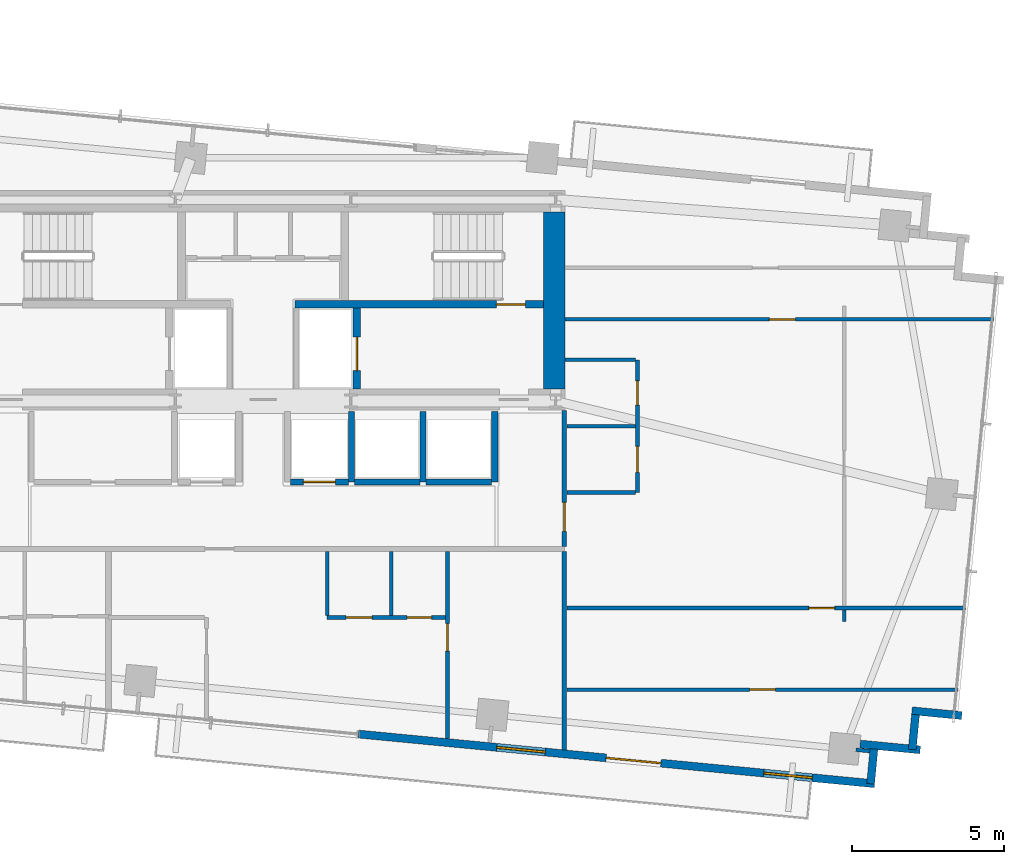
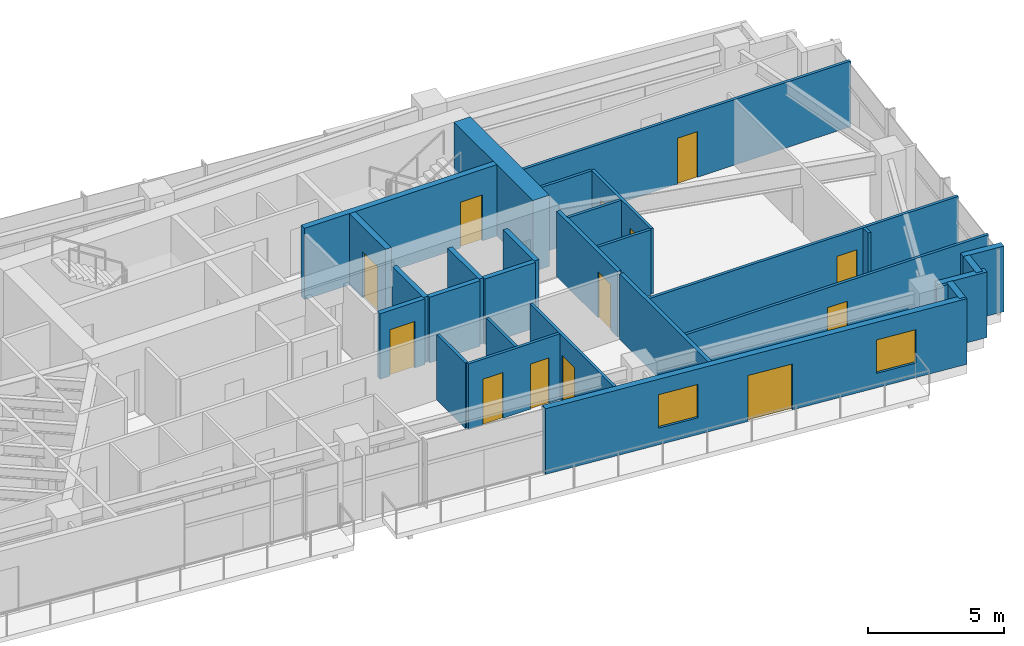
# One storey, part 16 of 19: 29 walls, 13 doors, 2 windows, 15 openings.
"""IFC4 building model written with IfcOpenShell, lengths in metres."""

import ifcopenshell
import ifcopenshell.guid

model = None  # the IFC model being written
_history = None  # IfcOwnerHistory: only IFC2X3 demands one
_inside = {}  # id of a spatial element -> (the spatial element, [elements in it])
_under = {}  # id of a project, library or spatial element -> (it, [spatial elements below it])
_declared = {}  # id of a project -> (the project, [libraries it declares])
_typed = {}  # id of a type object -> (the type object, [elements of that type])
_made_of = {}  # id of a material, layer set ... -> (it, [elements and type objects made of it])


def new_model(schema):
    """Start an empty IFC model of exactly this schema.

    Asked for "IFC4X3", IfcOpenShell would pick the latest addendum, in which some entities
    have other attributes; the version numbers below select the first issue.
    IFC2X3 requires an IfcOwnerHistory on every rooted entity: one is made here for all.
    """
    global model, _history
    if schema == "IFC4X3":
        model = ifcopenshell.file(schema_version=(4, 3, 0, 0))
    else:
        model = ifcopenshell.file(schema=schema)
    _inside.clear()
    _under.clear()
    _declared.clear()
    _typed.clear()
    _made_of.clear()
    _history = None
    if model.schema == "IFC2X3":
        org = make("IfcOrganization", Name="unknown")
        user = make(
            "IfcPersonAndOrganization",
            ThePerson=make("IfcPerson", FamilyName="unknown"),
            TheOrganization=org,
        )
        app = make(
            "IfcApplication",
            ApplicationDeveloper=org,
            Version="unknown",
            ApplicationFullName="unknown",
            ApplicationIdentifier="unknown",
        )
        _history = make(
            "IfcOwnerHistory",
            OwningUser=user,
            OwningApplication=app,
            ChangeAction="ADDED",
            CreationDate=0,
        )
    return model


def make(cls, **values):
    """One entity of the class cls with the attributes given. An attribute that is None is left unset."""
    return model.create_entity(
        cls, **{name: value for name, value in values.items() if value is not None}
    )


def rooted(cls, **values):
    """An entity with a GlobalId (a new one), such as an element, a storey or a relation."""
    return make(cls, GlobalId=ifcopenshell.guid.new(), OwnerHistory=_history, **values)


def si_unit(unit_type, name, prefix=None):
    """IfcSIUnit, for example si_unit("LENGTHUNIT", "METRE", prefix="MILLI")."""
    return make("IfcSIUnit", UnitType=unit_type, Prefix=prefix, Name=name)


def assignment(units):
    """IfcUnitAssignment: the units of a project."""
    return None if units is None else make("IfcUnitAssignment", Units=units)


def point(xyz):
    """IfcCartesianPoint."""
    return None if xyz is None else make("IfcCartesianPoint", Coordinates=xyz)


def direction(xyz):
    """IfcDirection."""
    return None if xyz is None else make("IfcDirection", DirectionRatios=xyz)


def frame(location, z_axis=None, x_axis=None):
    """IfcAxis2Placement3D, a coordinate frame: its origin and axes. An axis left out is left unset."""
    return make(
        "IfcAxis2Placement3D",
        Location=point(location),
        Axis=direction(z_axis),
        RefDirection=direction(x_axis),
    )


def frame_2d(location, x_axis=None):
    """IfcAxis2Placement2D, a coordinate frame in the plane: its origin and x axis."""
    return make(
        "IfcAxis2Placement2D", Location=point(location), RefDirection=direction(x_axis)
    )


def origin():
    """The frame at (0, 0, 0) with its axes left unset."""
    return frame((0.0, 0.0, 0.0))


def place(relative_to, where):
    """IfcLocalPlacement: puts the frame where relative to a parent placement (None: the world)."""
    return make(
        "IfcLocalPlacement", PlacementRelTo=relative_to, RelativePlacement=where
    )


def context(
    kind, dimensions, precision=None, world=None, true_north=None, identifier=None
):
    """IfcGeometricRepresentationContext, for example the 3D "Model" context."""
    return make(
        "IfcGeometricRepresentationContext",
        ContextIdentifier=identifier,
        ContextType=kind,
        CoordinateSpaceDimension=dimensions,
        Precision=precision,
        WorldCoordinateSystem=world,
        TrueNorth=true_north,
    )


def subcontext(parent, identifier, kind, view, scale=None):
    """IfcGeometricRepresentationSubContext, for example "Body" below "Model"."""
    return make(
        "IfcGeometricRepresentationSubContext",
        ContextIdentifier=identifier,
        ContextType=kind,
        ParentContext=parent,
        TargetScale=scale,
        TargetView=view,
    )


def project(units=None, contexts=None):
    """IfcProject with its units and contexts."""
    return rooted(
        "IfcProject",
        Name="project",
        RepresentationContexts=contexts,
        UnitsInContext=assignment(units),
    )


def spatial(cls, under=None, at=None, **own):
    """A site, building, storey or space (cls), placed at a placement, below another one or the project."""
    s = rooted(cls, ObjectPlacement=at, **own)
    if under is not None:
        _under.setdefault(under.id(), (under, []))[1].append(s)
    return s


def profile(cls, at=None, kind="AREA", **sizes):
    """A parametric profile (cls). Its sizes go by their IFC names, for example OverallWidth=200.0."""
    return make(cls, ProfileType=kind, Position=at, **sizes)


def rectangle(**sizes):
    """IfcRectangleProfileDef."""
    return profile("IfcRectangleProfileDef", **sizes)


def extrude(swept, where, along, depth):
    """IfcExtrudedAreaSolid: the profile swept, set in the frame where, extruded along a direction by depth."""
    return make(
        "IfcExtrudedAreaSolid",
        SweptArea=swept,
        Position=where,
        ExtrudedDirection=direction(along),
        Depth=depth,
    )


def shape(context_of_items, identifier, shape_type, items):
    """IfcShapeRepresentation: the items that make up one representation, for example the "Body"."""
    return make(
        "IfcShapeRepresentation",
        ContextOfItems=context_of_items,
        RepresentationIdentifier=identifier,
        RepresentationType=shape_type,
        Items=items,
    )


def source(mapping_origin, context_of_items, identifier, shape_type, items):
    """IfcRepresentationMap: a shape defined once, which mapped items show again and again."""
    return make(
        "IfcRepresentationMap",
        MappingOrigin=mapping_origin,
        MappedRepresentation=shape(context_of_items, identifier, shape_type, items),
    )


def transform(
    local_origin,
    x_axis=None,
    y_axis=None,
    z_axis=None,
    scale=None,
    scale2=None,
    scale3=None,
    uniform=True,
):
    """IfcCartesianTransformationOperator3D, or its non-uniform kind. x_axis, y_axis, z_axis: its Axis1, 2, 3."""
    if uniform:
        return make(
            "IfcCartesianTransformationOperator3D",
            Axis1=direction(x_axis),
            Axis2=direction(y_axis),
            LocalOrigin=point(local_origin),
            Scale=scale,
            Axis3=direction(z_axis),
        )
    return make(
        "IfcCartesianTransformationOperator3DnonUniform",
        Axis1=direction(x_axis),
        Axis2=direction(y_axis),
        LocalOrigin=point(local_origin),
        Scale=scale,
        Axis3=direction(z_axis),
        Scale2=scale2,
        Scale3=scale3,
    )


def mapped(mapping_source, mapping_target):
    """IfcMappedItem: shows the shape of a source again, moved by a transform."""
    return make(
        "IfcMappedItem", MappingSource=mapping_source, MappingTarget=mapping_target
    )


def material(Name=None, Category=None):
    """IfcMaterial."""
    return make("IfcMaterial", Name=Name, Category=Category)


def layer(
    of_material, thickness, ventilated=None, Name=None, Category=None, Priority=None
):
    """IfcMaterialLayer: one layer of a wall or slab, of a material (None: an air gap)."""
    return make(
        "IfcMaterialLayer",
        Material=of_material,
        LayerThickness=thickness,
        IsVentilated=ventilated,
        Name=Name,
        Category=Category,
        Priority=Priority,
    )


def layer_set(layers, Name=None):
    """IfcMaterialLayerSet."""
    return make("IfcMaterialLayerSet", MaterialLayers=layers, LayerSetName=Name)


def made_of(thing, what):
    """Note that an element or type object is made of a material, layer set ...; save() writes the relation."""
    if what is not None:
        _made_of.setdefault(what.id(), (what, []))[1].append(thing)
    return thing


def type_object(cls, material=None, **own):
    """A type object (cls), such as IfcWallType, which elements share."""
    return made_of(rooted(cls, **own), material)


def type_shapes(of_type, sources):
    """Give a type object the sources (RepresentationMaps) that its elements show as mapped items."""
    of_type.RepresentationMaps = sources


def element(
    cls,
    number,
    at=None,
    inside=None,
    cuts=None,
    type_object=None,
    material=None,
    context=None,
    identifier="Body",
    shape_type=None,
    held_by="IfcProductDefinitionShape",
    body=None,
    shapes=None,
    **own,
):
    """One element of the class cls, such as IfcWall. Its Tag is "e" and its number.

    at: its placement. inside: the storey or other place that contains it. cuts: it is an
    opening in that element (IfcRelVoidsElement). A single representation is given by context,
    identifier, shape_type and body (its items); several are given by shapes. held_by: the class
    of the entity that holds the representations. save() writes the other relations.
    """
    e = rooted(cls, Tag="e%d" % number, ObjectPlacement=at, **own)
    if body is not None:
        shapes = [shape(context, identifier, shape_type, body)]
    if shapes is not None:
        e.Representation = make(held_by, Representations=shapes)
    if inside is not None:
        _inside.setdefault(inside.id(), (inside, []))[1].append(e)
    if cuts is not None:
        rooted(
            "IfcRelVoidsElement", RelatingBuildingElement=cuts, RelatedOpeningElement=e
        )
    if type_object is not None:
        _typed.setdefault(type_object.id(), (type_object, []))[1].append(e)
    return made_of(e, material)


def fill(opening, filler):
    """IfcRelFillsElement: the door or window that sits in an opening."""
    return rooted(
        "IfcRelFillsElement",
        RelatingOpeningElement=opening,
        RelatedBuildingElement=filler,
    )


def aggregate(whole, parts):
    """IfcRelAggregates: a whole, such as a stair, and the parts it consists of."""
    return rooted("IfcRelAggregates", RelatingObject=whole, RelatedObjects=parts)


def save(model, path):
    """Write the relations noted so far, then the file.

    IfcRelAggregates (storeys below a building ...), IfcRelContainedInSpatialStructure (elements
    in a storey), IfcRelDefinesByType, IfcRelAssociatesMaterial and IfcRelDeclares: one each for
    every whole, place, type object, material and project.
    """
    for whole, parts in _under.values():
        aggregate(whole, parts)
    for where, things in _inside.values():
        rooted(
            "IfcRelContainedInSpatialStructure",
            RelatedElements=things,
            RelatingStructure=where,
        )
    for kind, things in _typed.values():
        rooted("IfcRelDefinesByType", RelatedObjects=things, RelatingType=kind)
    for what, things in _made_of.values():
        rooted("IfcRelAssociatesMaterial", RelatedObjects=things, RelatingMaterial=what)
    for by, libraries in _declared.values():
        rooted("IfcRelDeclares", RelatingContext=by, RelatedDefinitions=libraries)
    model.write(path)


model = new_model("IFC4")

# Units and contexts
model_context = context("Model", 3, precision=1e-05, world=origin(), true_north=direction((0.0, 1.0)))
body_context = subcontext(model_context, "Body", "Model", "MODEL_VIEW")
ifc_project = project(units=[si_unit("LENGTHUNIT", "METRE"), si_unit("AREAUNIT", "SQUARE_METRE"), si_unit("VOLUMEUNIT", "CUBIC_METRE"), si_unit("PLANEANGLEUNIT", "RADIAN"), si_unit("MASSUNIT", "GRAM", prefix="KILO")], contexts=[model_context])

# Site, building, storey
site_placement = place(None, origin())
site = spatial("IfcSite", under=ifc_project, at=site_placement, CompositionType="ELEMENT")
building_placement = place(site_placement, origin())
building = spatial("IfcBuilding", under=site, at=building_placement, Name="Astriad Promenade Condominiums", CompositionType="ELEMENT")
storey_placement = place(building_placement, frame((0.0, 0.0, 124.60009765625)))
storey = spatial("IfcBuildingStorey", under=building, at=storey_placement, Name="L35", CompositionType="ELEMENT", Elevation=124.60009765625)

# Wall
ifc_material_1 = material(Name="Concrete C60/75", Category="concrete")
ifc_layer_1 = layer(ifc_material_1, 0.699951171875)
ifc_layer_set_1 = layer_set([ifc_layer_1], Name="Concrete C60/75")
wall_type_1 = type_object("IfcWallType", Name="CW-SHEAR-700", PredefinedType="SHEAR", material=ifc_layer_set_1)
wall_1_placement = place(storey_placement, frame((45.550048828125, 17.802001953125, 0.0), z_axis=(0.0, 0.0, 1.0), x_axis=(0.0, 1.0, 0.0)))
element("IfcWall", 1, at=wall_1_placement, inside=storey, type_object=wall_type_1, Name="CW-CORE-E-L35", PredefinedType="SHEAR", context=body_context, shape_type="SweptSolid", body=[
    extrude(rectangle(XDim=5.7958984375, YDim=0.699951171875, at=frame_2d((2.89794921875, 0.0))), origin(), (0.0, 0.0, 1.0), 3.199951171875),
])

# Wall, opening, door
ifc_material_2 = material(Name="Concrete C50/60", Category="concrete")
ifc_layer_2 = layer(ifc_material_2, 0.25)
ifc_layer_set_2 = layer_set([ifc_layer_2], Name="Concrete C50/60")
wall_type_2 = type_object("IfcWallType", Name="WALL-CORE-INT-250", PredefinedType="SOLIDWALL", material=ifc_layer_set_2)
wall_2_placement = place(storey_placement, frame((37.050048828125, 20.574951171875, 0.0), z_axis=(0.0, 0.0, 1.0), x_axis=(1.0, 0.0, 0.0)))
wall_2 = element("IfcWall", 2, at=wall_2_placement, inside=storey, type_object=wall_type_2, Name="CW-INT-H2-L35", PredefinedType="SOLIDWALL", context=body_context, shape_type="SweptSolid", body=[
    extrude(rectangle(XDim=8.14794921875, YDim=0.25, at=frame_2d((4.073974609375, 0.0))), origin(), (0.0, 0.0, 1.0), 3.199951171875),
])
opening_1_placement = place(wall_2_placement, frame((6.60009765625, 0.0, 0.0)))
opening_1 = element("IfcOpeningElement", 3, at=opening_1_placement, cuts=wall_2, Name="Opening FD90-ST-095", PredefinedType="OPENING", context=body_context, shape_type="SweptSolid", body=[
    extrude(rectangle(XDim=0.949951171875, YDim=2.06005859375, at=frame_2d((0.47509765625, 1.030029296875))), frame((0.0, 0.135009765625, 0.0), z_axis=(0.0, -1.0, 0.0), x_axis=(1.0, 0.0, 0.0)), (0.0, 0.0, 1.0), 0.27001953125),
])
ifc_material_3 = material(Name="Fire-Rated Hollow Metal Stair Door")
door_type_1 = type_object("IfcDoorType", Name="FD90-ST-095", OperationType="NOTDEFINED", PredefinedType="DOOR", material=ifc_material_3)
shared_shape_1 = source(origin(), body_context, "Body", "SweptSolid", [
    extrude(rectangle(XDim=0.949951171875, YDim=2.06005859375, at=frame_2d((0.47509765625, 1.030029296875))), frame((0.0, 0.02490234375, 0.0), z_axis=(0.0, -1.0, 0.0), x_axis=(1.0, 0.0, 0.0)), (0.0, 0.0, 1.0), 0.050048828125),
])
type_shapes(door_type_1, [shared_shape_1])
door_1_placement = place(opening_1_placement, origin())
door_1 = element("IfcDoor", 4, at=door_1_placement, inside=storey, type_object=door_type_1, Name="D-ST2-L35", OperationType="SINGLE_SWING_LEFT", OverallHeight=2.06005859375, OverallWidth=0.949951171875, PredefinedType="DOOR", context=body_context, shape_type="MappedRepresentation", body=[
    mapped(shared_shape_1, transform((0.0, 0.0, 0.0), scale=1.0)),
])
fill(opening_1, door_1)

wall_3_placement = place(storey_placement, frame((39.074951171875, 17.802001953125, 0.0), z_axis=(0.0, 0.0, 1.0), x_axis=(0.0, 1.0, 0.0)))
wall_3 = element("IfcWall", 5, at=wall_3_placement, inside=storey, type_object=wall_type_2, Name="CW-FFL2-E-L35", PredefinedType="SOLIDWALL", context=body_context, shape_type="SweptSolid", body=[
    extrude(rectangle(XDim=2.64599609375, YDim=0.25, at=frame_2d((1.322998046875, 0.0))), origin(), (0.0, 0.0, 1.0), 3.199951171875),
])
opening_2_placement = place(wall_3_placement, frame((0.597900390625, 0.0, 0.0)))
opening_2 = element("IfcOpeningElement", 6, at=opening_2_placement, cuts=wall_3, Name="Opening LD-FFL-1122", PredefinedType="OPENING", context=body_context, shape_type="SweptSolid", body=[
    extrude(rectangle(XDim=1.10009765625, YDim=2.080078125, at=frame_2d((0.550048828125, 1.0400390625))), frame((0.0, 0.135009765625, 0.0), z_axis=(0.0, -1.0, 0.0), x_axis=(1.0, 0.0, 0.0)), (0.0, 0.0, 1.0), 0.27001953125),
])
ifc_material_4 = material(Name="Brushed Stainless Steel Fire Elevator Landing Door", Category="steel")
door_type_2 = type_object("IfcDoorType", Name="LD-FFL-1122", OperationType="NOTDEFINED", PredefinedType="DOOR", material=ifc_material_4)
shared_shape_2 = source(origin(), body_context, "Body", "SweptSolid", [
    extrude(rectangle(XDim=1.10009765625, YDim=2.080078125, at=frame_2d((0.550048828125, 1.0400390625))), frame((0.0, 0.02490234375, 0.0), z_axis=(0.0, -1.0, 0.0), x_axis=(1.0, 0.0, 0.0)), (0.0, 0.0, 1.0), 0.050048828125),
])
type_shapes(door_type_2, [shared_shape_2])
door_2_placement = place(opening_2_placement, origin())
door_2 = element("IfcDoor", 7, at=door_2_placement, inside=storey, type_object=door_type_2, Name="Elevator Landing Door FFL-2 (L35)", OperationType="SLIDING_TO_RIGHT", OverallHeight=2.080078125, OverallWidth=1.10009765625, PredefinedType="DOOR", context=body_context, shape_type="MappedRepresentation", body=[
    mapped(shared_shape_2, transform((0.0, 0.0, 0.0), scale=1.0)),
])
fill(opening_2, door_2)

# Wall
ifc_material_5 = material(Name="Fire-Rated Gypsum Partition")
ifc_layer_3 = layer(ifc_material_5, 0.159912109375)
ifc_layer_set_3 = layer_set([ifc_layer_3], Name="Fire-Rated Gypsum Partition")
wall_type_3 = type_object("IfcWallType", Name="WALL-CORR-160", PredefinedType="PARTITIONING", material=ifc_layer_set_3)
wall_4_placement = place(storey_placement, frame((45.8798828125, 5.95849609375, 0.0), z_axis=(0.0, 0.0, 1.0), x_axis=(0.0, 1.0, 0.0)))
element("IfcWall", 8, at=wall_4_placement, inside=storey, type_object=wall_type_3, Name="PT-COR-E-L35", PredefinedType="PARTITIONING", context=body_context, shape_type="SweptSolid", body=[
    extrude(rectangle(XDim=6.509521484375, YDim=0.159912109375, at=frame_2d((3.2548828125, 0.0))), origin(), (0.0, 0.0, 1.0), 2.93994140625),
])

# Wall, opening, door
wall_5_placement = place(storey_placement, frame((45.8798828125, 12.632080078125, 0.0), z_axis=(0.0, 0.0, 1.0), x_axis=(0.0, 1.0, 0.0)))
wall_5 = element("IfcWall", 9, at=wall_5_placement, inside=storey, type_object=wall_type_3, Name="PT-COR-E-L35-S2", PredefinedType="PARTITIONING", context=body_context, shape_type="SweptSolid", body=[
    extrude(rectangle(XDim=4.4658203125, YDim=0.159912109375, at=frame_2d((2.23291015625, 0.0))), origin(), (0.0, 0.0, 1.0), 2.93994140625),
])
opening_3_placement = place(wall_5_placement, frame((0.492919921875, 0.0, 0.0)))
opening_3 = element("IfcOpeningElement", 10, at=opening_3_placement, cuts=wall_5, Name="Opening FD60-APT-095", PredefinedType="OPENING", context=body_context, shape_type="SweptSolid", body=[
    extrude(rectangle(XDim=0.949951171875, YDim=2.06005859375, at=frame_2d((0.47509765625, 1.030029296875))), frame((0.0, 0.08984375, 0.0), z_axis=(0.0, -1.0, 0.0), x_axis=(1.0, 0.0, 0.0)), (0.0, 0.0, 1.0), 0.179931640625),
])
ifc_material_6 = material(Name="Solid-Core Acoustic Timber Residence Entry Door", Category="wood")
door_type_3 = type_object("IfcDoorType", Name="FD60-APT-095", OperationType="NOTDEFINED", PredefinedType="DOOR", material=ifc_material_6)
shared_shape_3 = source(origin(), body_context, "Body", "SweptSolid", [
    extrude(rectangle(XDim=0.949951171875, YDim=2.06005859375, at=frame_2d((0.47509765625, 1.030029296875))), frame((0.0, 0.02490234375, 0.0), z_axis=(0.0, -1.0, 0.0), x_axis=(1.0, 0.0, 0.0)), (0.0, 0.0, 1.0), 0.050048828125),
])
type_shapes(door_type_3, [shared_shape_3])
door_3_placement = place(opening_3_placement, origin())
door_3 = element("IfcDoor", 11, at=door_3_placement, inside=storey, type_object=door_type_3, Name="D-ENT-L35-E1", OperationType="SINGLE_SWING_RIGHT", OverallHeight=2.06005859375, OverallWidth=0.949951171875, PredefinedType="DOOR", context=body_context, shape_type="MappedRepresentation", body=[
    mapped(shared_shape_3, transform((0.0, 0.0, 0.0), scale=1.0)),
])
fill(opening_3, door_3)

# Walls
ifc_material_7 = material(Name="Precast concrete C50/60", Category="concrete")
ifc_layer_4 = layer(ifc_material_7, 0.260009765625)
ifc_layer_set_4 = layer_set([ifc_layer_4], Name="Precast concrete C50/60")
wall_type_4 = type_object("IfcWallType", Name="WALL-EXT-TWR-260", PredefinedType="STANDARD", material=ifc_layer_set_4)
wall_6_placement = place(storey_placement, frame((58.918701171875, 7.081787109375, 0.0), z_axis=(0.0, 0.0, 1.0), x_axis=(-0.995393194909, 0.095876939504, 0.0)))
element("IfcWall", 12, at=wall_6_placement, inside=storey, type_object=wall_type_4, Name="W-SER-L35-14", PredefinedType="STANDARD", context=body_context, shape_type="SweptSolid", body=[
    extrude(rectangle(XDim=1.639892578125, YDim=0.260009765625, at=frame_2d((0.81982421875, 0.0))), origin(), (0.0, 0.0, 1.0), 2.93994140625),
])
wall_7_placement = place(storey_placement, frame((57.40478515625, 7.112060546875, 0.0), z_axis=(0.0, 0.0, 1.0), x_axis=(-0.095971333708, -0.995384098279, 0.0)))
element("IfcWall", 13, at=wall_7_placement, inside=storey, type_object=wall_type_4, Name="W-SER-L35-15", PredefinedType="STANDARD", context=body_context, shape_type="SweptSolid", body=[
    extrude(rectangle(XDim=1.14990234375, YDim=0.260009765625, at=frame_2d((0.574951171875, 0.0))), origin(), (0.0, 0.0, 1.0), 2.93994140625),
])
wall_8_placement = place(storey_placement, frame((57.5546875, 5.95751953125, 0.0), z_axis=(0.0, 0.0, 1.0), x_axis=(-0.995401789159, 0.095787672171, 0.0)))
element("IfcWall", 14, at=wall_8_placement, inside=storey, type_object=wall_type_4, Name="W-SER-L35-16", PredefinedType="STANDARD", context=body_context, shape_type="SweptSolid", body=[
    extrude(rectangle(XDim=1.977783203125, YDim=0.260009765625, at=frame_2d((0.98876953125, 0.0))), origin(), (0.0, 0.0, 1.0), 2.93994140625),
])
wall_9_placement = place(storey_placement, frame((56.04052734375, 5.98779296875, 0.0), z_axis=(0.0, 0.0, 1.0), x_axis=(-0.095740721699, -0.995406306092, 0.0)))
element("IfcWall", 15, at=wall_9_placement, inside=storey, type_object=wall_type_4, Name="W-SER-L35-17", PredefinedType="STANDARD", context=body_context, shape_type="SweptSolid", body=[
    extrude(rectangle(XDim=1.150146484375, YDim=0.260009765625, at=frame_2d((0.5751953125, 0.0))), origin(), (0.0, 0.0, 1.0), 2.93994140625),
])

# Wall, openings, door, windows
wall_10_placement = place(storey_placement, frame((56.061279296875, 4.845458984375, 0.0), z_axis=(0.0, 0.0, 1.0), x_axis=(-0.995395976631, 0.095848055311, 0.0)))
wall_10 = element("IfcWall", 16, at=wall_10_placement, inside=storey, type_object=wall_type_4, Name="W-EXT-L35-S1", PredefinedType="STANDARD", context=body_context, shape_type="SweptSolid", body=[
    extrude(rectangle(XDim=17.010009765625, YDim=0.260009765625, at=frame_2d((8.5048828125, 0.0))), origin(), (0.0, 0.0, 1.0), 2.93994140625),
])
opening_4_placement = place(wall_10_placement, frame((7.04296875, 0.0, 0.0)))
opening_4 = element("IfcOpeningElement", 17, at=opening_4_placement, cuts=wall_10, Name="Opening BD-1822-SLD", PredefinedType="OPENING", context=body_context, shape_type="SweptSolid", body=[
    extrude(rectangle(XDim=1.800048828125, YDim=2.06005859375, at=frame_2d((0.89990234375, 1.030029296875))), frame((0.0, 0.139892578125, 0.0), z_axis=(0.0, -1.0, 0.0), x_axis=(1.0, 0.0, 0.0)), (0.0, 0.0, 1.0), 0.280029296875),
])
opening_5_placement = place(wall_10_placement, frame((2.050048828125, 0.0, 0.64990234375)))
opening_5 = element("IfcOpeningElement", 18, at=opening_5_placement, cuts=wall_10, Name="Opening WIN-TWR-1620", PredefinedType="OPENING", context=body_context, shape_type="SweptSolid", body=[
    extrude(rectangle(XDim=1.60009765625, YDim=1.5, at=frame_2d((0.800048828125, 0.75))), frame((0.0, 0.139892578125, 0.0), z_axis=(0.0, -1.0, 0.0), x_axis=(1.0, 0.0, 0.0)), (0.0, 0.0, 1.0), 0.280029296875),
])
opening_6_placement = place(wall_10_placement, frame((10.85205078125, 0.0, 0.75)))
opening_6 = element("IfcOpeningElement", 19, at=opening_6_placement, cuts=wall_10, Name="Opening WIN-TWR-1620", PredefinedType="OPENING", context=body_context, shape_type="SweptSolid", body=[
    extrude(rectangle(XDim=1.60009765625, YDim=1.5, at=frame_2d((0.800048828125, 0.75))), frame((0.0, 0.139892578125, 0.0), z_axis=(0.0, -1.0, 0.0), x_axis=(1.0, 0.0, 0.0)), (0.0, 0.0, 1.0), 0.280029296875),
])
ifc_material_8 = material(Name="Thermally Broken Aluminium Sliding Balcony Door", Category="aluminium")
door_type_4 = type_object("IfcDoorType", Name="BD-1822-SLD", OperationType="NOTDEFINED", PredefinedType="DOOR", material=ifc_material_8)
shared_shape_4 = source(origin(), body_context, "Body", "SweptSolid", [
    extrude(rectangle(XDim=1.800048828125, YDim=2.06005859375, at=frame_2d((0.89990234375, 1.030029296875))), frame((0.0, 0.02490234375, 0.0), z_axis=(0.0, -1.0, 0.0), x_axis=(1.0, 0.0, 0.0)), (0.0, 0.0, 1.0), 0.050048828125),
])
type_shapes(door_type_4, [shared_shape_4])
door_4_placement = place(opening_4_placement, origin())
door_4 = element("IfcDoor", 20, at=door_4_placement, inside=storey, type_object=door_type_4, Name="BD-L35-SE", OperationType="SLIDING_TO_RIGHT", OverallHeight=2.06005859375, OverallWidth=1.800048828125, PredefinedType="DOOR", context=body_context, shape_type="MappedRepresentation", body=[
    mapped(shared_shape_4, transform((0.0, 0.0, 0.0), scale=1.0)),
])
fill(opening_4, door_4)
ifc_material_9 = material(Name="Dark Tinted Triple-Glazed Aluminium Window", Category="aluminium")
window_type = type_object("IfcWindowType", Name="WIN-TWR-1620", PartitioningType="SINGLE_PANEL", PredefinedType="WINDOW", material=ifc_material_9)
shared_shape_5 = source(origin(), body_context, "Body", "SweptSolid", [
    extrude(rectangle(XDim=1.60009765625, YDim=1.5, at=frame_2d((0.800048828125, 0.75))), frame((0.0, 0.030029296875, 0.0), z_axis=(0.0, -1.0, 0.0), x_axis=(1.0, 0.0, 0.0)), (0.0, 0.0, 1.0), 0.06005859375),
])
type_shapes(window_type, [shared_shape_5])
window_1_placement = place(opening_5_placement, origin())
window_1 = element("IfcWindow", 21, at=window_1_placement, inside=storey, type_object=window_type, Name="WIN-L35-SE", OverallHeight=1.5, OverallWidth=1.60009765625, PartitioningType="SINGLE_PANEL", PredefinedType="WINDOW", context=body_context, shape_type="MappedRepresentation", body=[
    mapped(shared_shape_5, transform((0.0, 0.0, 0.0), scale=1.0)),
])
fill(opening_5, window_1)
window_2_placement = place(opening_6_placement, origin())
window_2 = element("IfcWindow", 22, at=window_2_placement, inside=storey, type_object=window_type, Name="WIN-DW-L35-S2-BD1", OverallHeight=1.5, OverallWidth=1.60009765625, PartitioningType="SINGLE_PANEL", PredefinedType="WINDOW", context=body_context, shape_type="MappedRepresentation", body=[
    mapped(shared_shape_5, transform((0.0, 0.0, 0.0), scale=1.0)),
])
fill(opening_6, window_2)

# Wall, opening, door
ifc_material_10 = material(Name="Acoustic Metal-Stud Gypsum Partition")
ifc_layer_5 = layer(ifc_material_10, 0.1201171875)
ifc_layer_set_5 = layer_set([ifc_layer_5], Name="Acoustic Metal-Stud Gypsum Partition")
wall_type_5 = type_object("IfcWallType", Name="WALL-PART-120", PredefinedType="PARTITIONING", material=ifc_layer_set_5)
wall_11_placement = place(storey_placement, frame((42.050048828125, 6.3271484375, 0.0), z_axis=(0.0, 0.0, 1.0), x_axis=(0.0, 1.0, 0.0)))
wall_11 = element("IfcWall", 23, at=wall_11_placement, inside=storey, type_object=wall_type_5, Name="PT-L35-S2-BD1", PredefinedType="PARTITIONING", context=body_context, shape_type="SweptSolid", body=[
    extrude(rectangle(XDim=6.140869140625, YDim=0.1201171875, at=frame_2d((3.0703125, 0.0))), origin(), (0.0, 0.0, 1.0), 2.93994140625),
])
opening_7_placement = place(wall_11_placement, frame((2.872802734375, 0.0, 0.0)))
opening_7 = element("IfcOpeningElement", 24, at=opening_7_placement, cuts=wall_11, Name="Opening D-INT-090", PredefinedType="OPENING", context=body_context, shape_type="SweptSolid", body=[
    extrude(rectangle(XDim=0.89990234375, YDim=2.050048828125, at=frame_2d((0.449951171875, 1.02490234375))), frame((0.0, 0.070068359375, 0.0), z_axis=(0.0, -1.0, 0.0), x_axis=(1.0, 0.0, 0.0)), (0.0, 0.0, 1.0), 0.14013671875),
])
ifc_material_11 = material(Name="Painted Solid-Core Timber Bedroom Door", Category="wood")
door_type_5 = type_object("IfcDoorType", Name="D-INT-090", OperationType="NOTDEFINED", PredefinedType="DOOR", material=ifc_material_11)
shared_shape_6 = source(origin(), body_context, "Body", "SweptSolid", [
    extrude(rectangle(XDim=0.89990234375, YDim=2.050048828125, at=frame_2d((0.449951171875, 1.02490234375))), frame((0.0, 0.02490234375, 0.0), z_axis=(0.0, -1.0, 0.0), x_axis=(1.0, 0.0, 0.0)), (0.0, 0.0, 1.0), 0.050048828125),
])
type_shapes(door_type_5, [shared_shape_6])
door_5_placement = place(opening_7_placement, origin())
door_5 = element("IfcDoor", 25, at=door_5_placement, inside=storey, type_object=door_type_5, Name="D-BD1-L35-S2", OperationType="SINGLE_SWING_LEFT", OverallHeight=2.050048828125, OverallWidth=0.89990234375, PredefinedType="DOOR", context=body_context, shape_type="MappedRepresentation", body=[
    mapped(shared_shape_6, transform((0.0, 0.0, 0.0), scale=1.0)),
])
fill(opening_7, door_5)

# Wall, openings, doors
wall_12_placement = place(storey_placement, frame((38.10009765625, 10.300048828125, 0.0), z_axis=(0.0, 0.0, 1.0), x_axis=(1.0, 0.0, 0.0)))
wall_12 = element("IfcWall", 26, at=wall_12_placement, inside=storey, type_object=wall_type_5, Name="PT-L35-S2-PS", PredefinedType="PARTITIONING", context=body_context, shape_type="SweptSolid", body=[
    extrude(rectangle(XDim=3.887939453125, YDim=0.1201171875, at=frame_2d((1.94384765625, 0.0))), origin(), (0.0, 0.0, 1.0), 2.93994140625),
])
opening_8_placement = place(wall_12_placement, frame((0.625, 0.0, 0.0)))
opening_8 = element("IfcOpeningElement", 27, at=opening_8_placement, cuts=wall_12, Name="Opening D-INT-085", PredefinedType="OPENING", context=body_context, shape_type="SweptSolid", body=[
    extrude(rectangle(XDim=0.85009765625, YDim=2.050048828125, at=frame_2d((0.425048828125, 1.02490234375))), frame((0.0, 0.070068359375, 0.0), z_axis=(0.0, -1.0, 0.0), x_axis=(1.0, 0.0, 0.0)), (0.0, 0.0, 1.0), 0.14013671875),
])
opening_9_placement = place(wall_12_placement, frame((2.625, 0.0, 0.0)))
opening_9 = element("IfcOpeningElement", 28, at=opening_9_placement, cuts=wall_12, Name="Opening D-WET-080", PredefinedType="OPENING", context=body_context, shape_type="SweptSolid", body=[
    extrude(rectangle(XDim=0.800048828125, YDim=2.02001953125, at=frame_2d((0.39990234375, 1.010009765625))), frame((0.0, 0.070068359375, 0.0), z_axis=(0.0, -1.0, 0.0), x_axis=(1.0, 0.0, 0.0)), (0.0, 0.0, 1.0), 0.14013671875),
])
ifc_material_12 = material(Name="Moisture-Resistant Timber Bathroom Door", Category="wood")
door_type_6 = type_object("IfcDoorType", Name="D-WET-080", OperationType="NOTDEFINED", PredefinedType="DOOR", material=ifc_material_12)
shared_shape_7 = source(origin(), body_context, "Body", "SweptSolid", [
    extrude(rectangle(XDim=0.800048828125, YDim=2.02001953125, at=frame_2d((0.39990234375, 1.010009765625))), frame((0.0, 0.02490234375, 0.0), z_axis=(0.0, -1.0, 0.0), x_axis=(1.0, 0.0, 0.0)), (0.0, 0.0, 1.0), 0.050048828125),
])
type_shapes(door_type_6, [shared_shape_7])
door_6_placement = place(opening_9_placement, origin())
door_6 = element("IfcDoor", 29, at=door_6_placement, inside=storey, type_object=door_type_6, Name="D-BTH-L35-S2", OperationType="SINGLE_SWING_LEFT", OverallHeight=2.02001953125, OverallWidth=0.800048828125, PredefinedType="DOOR", context=body_context, shape_type="MappedRepresentation", body=[
    mapped(shared_shape_7, transform((0.0, 0.0, 0.0), scale=1.0)),
])
fill(opening_9, door_6)
ifc_material_13 = material(Name="Painted Solid-Core Timber Room Door", Category="wood")
door_type_7 = type_object("IfcDoorType", Name="D-INT-085", OperationType="NOTDEFINED", PredefinedType="DOOR", material=ifc_material_13)
shared_shape_8 = source(origin(), body_context, "Body", "SweptSolid", [
    extrude(rectangle(XDim=0.85009765625, YDim=2.050048828125, at=frame_2d((0.425048828125, 1.02490234375))), frame((0.0, 0.02490234375, 0.0), z_axis=(0.0, -1.0, 0.0), x_axis=(1.0, 0.0, 0.0)), (0.0, 0.0, 1.0), 0.050048828125),
])
type_shapes(door_type_7, [shared_shape_8])
door_7_placement = place(opening_8_placement, origin())
door_7 = element("IfcDoor", 30, at=door_7_placement, inside=storey, type_object=door_type_7, Name="D-KIT-L35-S2", OperationType="SINGLE_SWING_RIGHT", OverallHeight=2.050048828125, OverallWidth=0.85009765625, PredefinedType="DOOR", context=body_context, shape_type="MappedRepresentation", body=[
    mapped(shared_shape_8, transform((0.0, 0.0, 0.0), scale=1.0)),
])
fill(opening_8, door_7)

# Walls
for number, where, z_axis, x_axis, name in (
    (31, (40.199951171875, 10.362060546875, 0.0), (0.0, 0.0, 1.0), (0.0, 1.0, 0.0), "PT-L35-S2-PBK"),
    (32, (38.10009765625, 10.362060546875, 0.0), (0.0, 0.0, 1.0), (0.0, 1.0, 0.0), "PT-L35-S2-PKW"),
):
    element("IfcWall", number, at=place(storey_placement, frame(where, z_axis=z_axis, x_axis=x_axis)), inside=storey, type_object=wall_type_5, Name=name, PredefinedType="PARTITIONING", context=body_context, shape_type="SweptSolid", body=[
        extrude(rectangle(XDim=2.10595703125, YDim=0.1201171875, at=frame_2d((1.052978515625, 0.0))), origin(), (0.0, 0.0, 1.0), 2.93994140625),
    ])

# Wall, openings, doors
wall_13_placement = place(storey_placement, frame((48.280029296875, 14.39990234375, 0.0), z_axis=(0.0, 0.0, 1.0), x_axis=(0.0, 1.0, 0.0)))
wall_13 = element("IfcWall", 33, at=wall_13_placement, inside=storey, type_object=wall_type_5, Name="PT-L35-E1-PV", PredefinedType="PARTITIONING", context=body_context, shape_type="SweptSolid", body=[
    extrude(rectangle(XDim=4.35009765625, YDim=0.1201171875, at=frame_2d((2.175048828125, 0.0))), origin(), (0.0, 0.0, 1.0), 2.93994140625),
])
opening_10_placement = place(wall_13_placement, frame((0.6630859375, 0.0, 0.0)))
opening_10 = element("IfcOpeningElement", 34, at=opening_10_placement, cuts=wall_13, Name="Opening D-INT-085", PredefinedType="OPENING", context=body_context, shape_type="SweptSolid", body=[
    extrude(rectangle(XDim=0.85009765625, YDim=2.050048828125, at=frame_2d((0.425048828125, 1.02490234375))), frame((0.0, 0.070068359375, 0.0), z_axis=(0.0, -1.0, 0.0), x_axis=(1.0, 0.0, 0.0)), (0.0, 0.0, 1.0), 0.14013671875),
])
opening_11_placement = place(wall_13_placement, frame((2.863037109375, 0.0, 0.0)))
opening_11 = element("IfcOpeningElement", 35, at=opening_11_placement, cuts=wall_13, Name="Opening D-WET-080", PredefinedType="OPENING", context=body_context, shape_type="SweptSolid", body=[
    extrude(rectangle(XDim=0.800048828125, YDim=2.02001953125, at=frame_2d((0.39990234375, 1.010009765625))), frame((0.0, 0.070068359375, 0.0), z_axis=(0.0, -1.0, 0.0), x_axis=(1.0, 0.0, 0.0)), (0.0, 0.0, 1.0), 0.14013671875),
])
door_8_placement = place(opening_11_placement, origin())
door_8 = element("IfcDoor", 36, at=door_8_placement, inside=storey, type_object=door_type_6, Name="D-BTH-L35-E1", OperationType="SINGLE_SWING_RIGHT", OverallHeight=2.02001953125, OverallWidth=0.800048828125, PredefinedType="DOOR", context=body_context, shape_type="MappedRepresentation", body=[
    mapped(shared_shape_7, transform((0.0, 0.0, 0.0), scale=1.0)),
])
fill(opening_11, door_8)
door_9_placement = place(opening_10_placement, origin())
door_9 = element("IfcDoor", 37, at=door_9_placement, inside=storey, type_object=door_type_7, Name="D-KIT-L35-E1", OperationType="SINGLE_SWING_LEFT", OverallHeight=2.050048828125, OverallWidth=0.85009765625, PredefinedType="DOOR", context=body_context, shape_type="MappedRepresentation", body=[
    mapped(shared_shape_8, transform((0.0, 0.0, 0.0), scale=1.0)),
])
fill(opening_10, door_9)

# Walls
for number, where, z_axis, x_axis, name in (
    (38, (45.9619140625, 16.574951171875, 0.0), (0.0, 0.0, 1.0), (1.0, 0.0, 0.0), "PT-L35-E1-PM"),
    (39, (45.9619140625, 14.39990234375, 0.0), (0.0, 0.0, 1.0), (1.0, 0.0, 0.0), "PT-L35-E1-PS"),
):
    element("IfcWall", number, at=place(storey_placement, frame(where, z_axis=z_axis, x_axis=x_axis)), inside=storey, type_object=wall_type_5, Name=name, PredefinedType="PARTITIONING", context=body_context, shape_type="SweptSolid", body=[
        extrude(rectangle(XDim=2.256103515625, YDim=0.1201171875, at=frame_2d((1.1279296875, 0.0))), origin(), (0.0, 0.0, 1.0), 2.93994140625),
    ])
wall_14_placement = place(storey_placement, frame((45.902099609375, 18.75, 0.0), z_axis=(0.0, 0.0, 1.0), x_axis=(1.0, 0.0, 0.0)))
element("IfcWall", 40, at=wall_14_placement, inside=storey, type_object=wall_type_5, Name="PT-L35-E1-PN", PredefinedType="PARTITIONING", context=body_context, shape_type="SweptSolid", body=[
    extrude(rectangle(XDim=2.31591796875, YDim=0.1201171875, at=frame_2d((1.157958984375, 0.0))), origin(), (0.0, 0.0, 1.0), 2.93994140625),
])

# Wall, opening, door
wall_15_placement = place(storey_placement, frame((45.9619140625, 7.931884765625, 0.0), z_axis=(0.0, 0.0, 1.0), x_axis=(1.0, 0.0, 0.0)))
wall_15 = element("IfcWall", 41, at=wall_15_placement, inside=storey, type_object=wall_type_5, Name="PT-L35-E1-B2", PredefinedType="PARTITIONING", context=body_context, shape_type="SweptSolid", body=[
    extrude(rectangle(XDim=12.827880859375, YDim=0.1201171875, at=frame_2d((6.4140625, 0.0))), origin(), (0.0, 0.0, 1.0), 2.93994140625),
])
opening_12_placement = place(wall_15_placement, frame((5.9951171875, 0.0, 0.0)))
opening_12 = element("IfcOpeningElement", 42, at=opening_12_placement, cuts=wall_15, Name="Opening D-INT-085", PredefinedType="OPENING", context=body_context, shape_type="SweptSolid", body=[
    extrude(rectangle(XDim=0.85009765625, YDim=2.050048828125, at=frame_2d((0.425048828125, 1.02490234375))), frame((0.0, 0.070068359375, 0.0), z_axis=(0.0, -1.0, 0.0), x_axis=(1.0, 0.0, 0.0)), (0.0, 0.0, 1.0), 0.14013671875),
])
door_10_placement = place(opening_12_placement, origin())
door_10 = element("IfcDoor", 43, at=door_10_placement, inside=storey, type_object=door_type_7, Name="D-BD2-L35-E1", OperationType="SINGLE_SWING_RIGHT", OverallHeight=2.050048828125, OverallWidth=0.85009765625, PredefinedType="DOOR", context=body_context, shape_type="MappedRepresentation", body=[
    mapped(shared_shape_8, transform((0.0, 0.0, 0.0), scale=1.0)),
])
fill(opening_12, door_10)

wall_16_placement = place(storey_placement, frame((45.9619140625, 10.60888671875, 0.0), z_axis=(0.0, 0.0, 1.0), x_axis=(1.0, 0.0, 0.0)))
wall_16 = element("IfcWall", 44, at=wall_16_placement, inside=storey, type_object=wall_type_5, Name="PT-L35-E1-WDS1", PredefinedType="PARTITIONING", context=body_context, shape_type="SweptSolid", body=[
    extrude(rectangle(XDim=13.08544921875, YDim=0.1201171875, at=frame_2d((6.542724609375, 0.0))), origin(), (0.0, 0.0, 1.0), 2.93994140625),
])
opening_13_placement = place(wall_16_placement, frame((7.93994140625, 0.0, 0.0)))
opening_13 = element("IfcOpeningElement", 45, at=opening_13_placement, cuts=wall_16, Name="Opening D-INT-085", PredefinedType="OPENING", context=body_context, shape_type="SweptSolid", body=[
    extrude(rectangle(XDim=0.85009765625, YDim=2.050048828125, at=frame_2d((0.425048828125, 1.02490234375))), frame((0.0, 0.070068359375, 0.0), z_axis=(0.0, -1.0, 0.0), x_axis=(1.0, 0.0, 0.0)), (0.0, 0.0, 1.0), 0.14013671875),
])
door_11_placement = place(opening_13_placement, origin())
door_11 = element("IfcDoor", 46, at=door_11_placement, inside=storey, type_object=door_type_7, Name="D-WDS1-L35-E1", OperationType="SINGLE_SWING_LEFT", OverallHeight=2.050048828125, OverallWidth=0.85009765625, PredefinedType="DOOR", context=body_context, shape_type="MappedRepresentation", body=[
    mapped(shared_shape_8, transform((0.0, 0.0, 0.0), scale=1.0)),
])
fill(opening_13, door_11)

wall_17_placement = place(storey_placement, frame((45.902099609375, 20.0810546875, 0.0), z_axis=(0.0, 0.0, 1.0), x_axis=(1.0, 0.0, 0.0)))
wall_17 = element("IfcWall", 47, at=wall_17_placement, inside=storey, type_object=wall_type_5, Name="PT-L35-E1-WDN2", PredefinedType="PARTITIONING", context=body_context, shape_type="SweptSolid", body=[
    extrude(rectangle(XDim=14.057373046875, YDim=0.1201171875, at=frame_2d((7.02880859375, 0.0))), origin(), (0.0, 0.0, 1.0), 2.93994140625),
])
opening_14_placement = place(wall_17_placement, frame((6.7080078125, 0.0, 0.0)))
opening_14 = element("IfcOpeningElement", 48, at=opening_14_placement, cuts=wall_17, Name="Opening D-INT-085", PredefinedType="OPENING", context=body_context, shape_type="SweptSolid", body=[
    extrude(rectangle(XDim=0.85009765625, YDim=2.050048828125, at=frame_2d((0.425048828125, 1.02490234375))), frame((0.0, 0.070068359375, 0.0), z_axis=(0.0, -1.0, 0.0), x_axis=(1.0, 0.0, 0.0)), (0.0, 0.0, 1.0), 0.14013671875),
])
door_12_placement = place(opening_14_placement, origin())
door_12 = element("IfcDoor", 49, at=door_12_placement, inside=storey, type_object=door_type_7, Name="D-WDN2-L35-E1", OperationType="SINGLE_SWING_RIGHT", OverallHeight=2.050048828125, OverallWidth=0.85009765625, PredefinedType="DOOR", context=body_context, shape_type="MappedRepresentation", body=[
    mapped(shared_shape_8, transform((0.0, 0.0, 0.0), scale=1.0)),
])
fill(opening_14, door_12)

# Walls
wall_18_placement = place(storey_placement, frame((55.06201171875, 10.1689453125, 0.0), z_axis=(0.0, 0.0, 1.0), x_axis=(0.0, 1.0, 0.0)))
element("IfcWall", 50, at=wall_18_placement, inside=storey, type_object=wall_type_5, Name="PT-L35-E1-WDV3", PredefinedType="PARTITIONING", context=body_context, shape_type="SweptSolid", body=[
    extrude(rectangle(XDim=0.378173828125, YDim=0.1201171875, at=frame_2d((0.18896484375, 0.0))), origin(), (0.0, 0.0, 1.0), 2.93994140625),
])
wall_19_placement = place(storey_placement, frame((55.4453125, 5.959716796875, 0.0), z_axis=(0.0, 0.0, 1.0), x_axis=(0.995384576284, -0.09596637586, 0.0)))
element("IfcWall", 51, at=wall_19_placement, inside=storey, type_object=wall_type_5, Name="PT-PIL-L35-PC05-12", PredefinedType="PARTITIONING", context=body_context, shape_type="SweptSolid", body=[
    extrude(rectangle(XDim=0.4580078125, YDim=0.1201171875, at=frame_2d((0.22900390625, 0.0))), origin(), (0.0, 0.0, 1.0), 2.93994140625),
])
ifc_material_14 = material(Name="Gypsum Shaftliner Assembly")
ifc_layer_6 = layer(ifc_material_14, 0.199951171875)
ifc_layer_set_6 = layer_set([ifc_layer_6], Name="Gypsum Shaftliner Assembly")
wall_type_6 = type_object("IfcWallType", Name="WALL-SHAFT-200", PredefinedType="PARTITIONING", material=ifc_layer_set_6)
wall_20_placement = place(storey_placement, frame((38.89990234375, 14.75, 0.0), z_axis=(0.0, 0.0, 1.0), x_axis=(0.0, 1.0, 0.0)))
element("IfcWall", 52, at=wall_20_placement, inside=storey, type_object=wall_type_6, Name="PL-MH-DIV-L35", PredefinedType="PARTITIONING", context=body_context, shape_type="SweptSolid", body=[
    extrude(rectangle(XDim=2.300048828125, YDim=0.199951171875, at=frame_2d((1.14990234375, 0.0))), origin(), (0.0, 0.0, 1.0), 2.93994140625),
])

# Wall, opening, door
wall_21_placement = place(storey_placement, frame((36.902099609375, 14.75, 0.0), z_axis=(0.0, 0.0, 1.0), x_axis=(1.0, 0.0, 0.0)))
wall_21 = element("IfcWall", 53, at=wall_21_placement, inside=storey, type_object=wall_type_6, Name="PL-M2-F-L35", PredefinedType="PARTITIONING", context=body_context, shape_type="SweptSolid", body=[
    extrude(rectangle(XDim=1.89599609375, YDim=0.199951171875, at=frame_2d((0.947998046875, 0.0))), origin(), (0.0, 0.0, 1.0), 2.93994140625),
])
opening_15_placement = place(wall_21_placement, frame((0.423095703125, 0.0, 0.0)))
opening_15 = element("IfcOpeningElement", 54, at=opening_15_placement, cuts=wall_21, Name="Opening LD-PL-10522", PredefinedType="OPENING", context=body_context, shape_type="SweptSolid", body=[
    extrude(rectangle(XDim=1.050048828125, YDim=2.080078125, at=frame_2d((0.52490234375, 1.0400390625))), frame((0.0, 0.10986328125, 0.0), z_axis=(0.0, -1.0, 0.0), x_axis=(1.0, 0.0, 0.0)), (0.0, 0.0, 1.0), 0.219970703125),
])
ifc_material_15 = material(Name="Brushed Bronze Passenger Elevator Landing Door")
door_type_8 = type_object("IfcDoorType", Name="LD-PL-10522", OperationType="NOTDEFINED", PredefinedType="DOOR", material=ifc_material_15)
shared_shape_9 = source(origin(), body_context, "Body", "SweptSolid", [
    extrude(rectangle(XDim=1.050048828125, YDim=2.080078125, at=frame_2d((0.52490234375, 1.0400390625))), frame((0.0, 0.02490234375, 0.0), z_axis=(0.0, -1.0, 0.0), x_axis=(1.0, 0.0, 0.0)), (0.0, 0.0, 1.0), 0.050048828125),
])
type_shapes(door_type_8, [shared_shape_9])
door_13_placement = place(opening_15_placement, origin())
door_13 = element("IfcDoor", 55, at=door_13_placement, inside=storey, type_object=door_type_8, Name="Elevator Landing Door PL-M2 (L35)", OperationType="SLIDING_TO_RIGHT", OverallHeight=2.080078125, OverallWidth=1.050048828125, PredefinedType="DOOR", context=body_context, shape_type="MappedRepresentation", body=[
    mapped(shared_shape_9, transform((0.0, 0.0, 0.0), scale=1.0)),
])
fill(opening_15, door_13)

# Walls
for number, where, z_axis, x_axis, name in (
    (56, (41.25, 14.75, 0.0), (0.0, 0.0, 1.0), (0.0, 1.0, 0.0), "PL-H-DIV-L35"),
    (57, (43.60009765625, 14.75, 0.0), (0.0, 0.0, 1.0), (0.0, 1.0, 0.0), "PL-E-OUT-L35"),
):
    element("IfcWall", number, at=place(storey_placement, frame(where, z_axis=z_axis, x_axis=x_axis)), inside=storey, type_object=wall_type_6, Name=name, PredefinedType="PARTITIONING", context=body_context, shape_type="SweptSolid", body=[
        extrude(rectangle(XDim=2.300048828125, YDim=0.199951171875, at=frame_2d((1.14990234375, 0.0))), origin(), (0.0, 0.0, 1.0), 2.93994140625),
    ])
for number, where, z_axis, x_axis, name in (
    (58, (39.001953125, 14.75, 0.0), (0.0, 0.0, 1.0), (1.0, 0.0, 0.0), "PL-H-FRT-L35"),
    (59, (41.35205078125, 14.75, 0.0), (0.0, 0.0, 1.0), (1.0, 0.0, 0.0), "PL-H-FRT-L35-S2"),
):
    element("IfcWall", number, at=place(storey_placement, frame(where, z_axis=z_axis, x_axis=x_axis)), inside=storey, type_object=wall_type_6, Name=name, PredefinedType="PARTITIONING", context=body_context, shape_type="SweptSolid", body=[
        extrude(rectangle(XDim=2.14599609375, YDim=0.199951171875, at=frame_2d((1.072998046875, 0.0))), origin(), (0.0, 0.0, 1.0), 2.93994140625),
    ])

save(model, "model.ifc")
